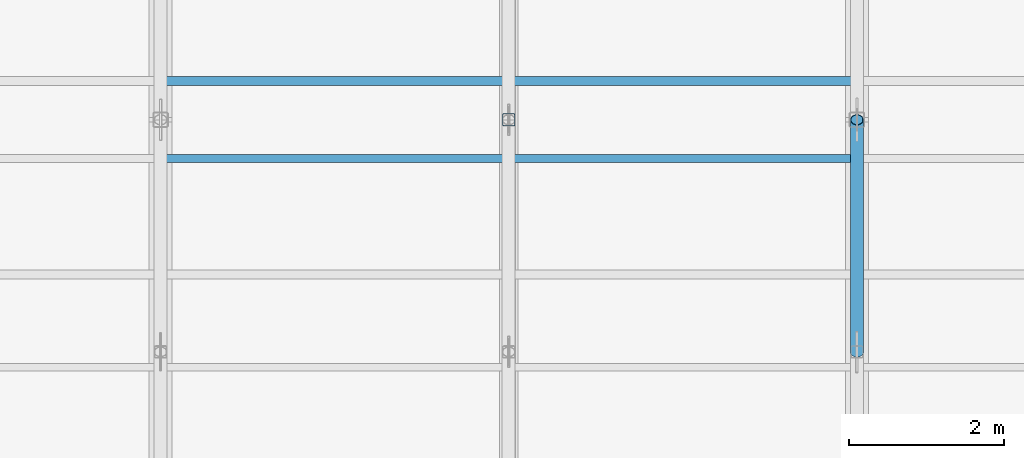
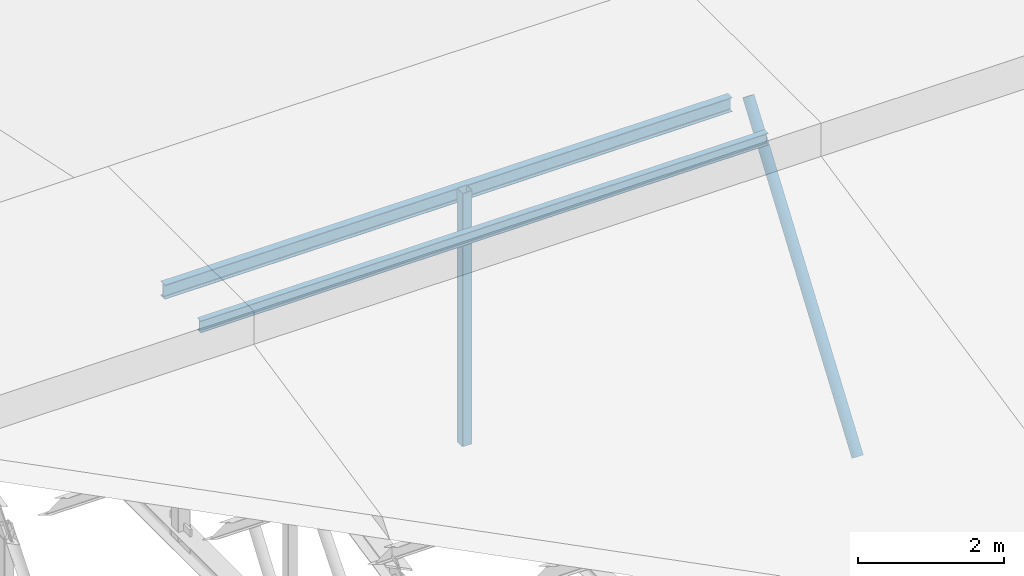
# One storey, part 16 of 43: 4 members.
"""IFC4 building model written with IfcOpenShell, lengths in metres."""

from ifc_helpers import new_model, si_unit, direction, frame, origin, origin_2d, place, context, subcontext, project, spatial, hollow_rectangle, hollow_circle, i_section, extrude, material, material_profile, profile_set, type_object, element, save


model = new_model("IFC4")

# Units and contexts
model_context = context("Model", 3, precision=1e-05, world=origin(), true_north=direction((0.0, 1.0)))
body_context = subcontext(model_context, "Body", "Model", "MODEL_VIEW")
ifc_project = project(units=[si_unit("LENGTHUNIT", "METRE"), si_unit("AREAUNIT", "SQUARE_METRE"), si_unit("VOLUMEUNIT", "CUBIC_METRE"), si_unit("PLANEANGLEUNIT", "RADIAN"), si_unit("MASSUNIT", "GRAM", prefix="KILO")], contexts=[model_context])

# Site, building, storey
site_placement = place(None, origin())
site = spatial("IfcSite", under=ifc_project, at=site_placement, CompositionType="ELEMENT")
building_placement = place(site_placement, origin())
building = spatial("IfcBuilding", under=site, at=building_placement, Name="Serraforn Aerial Cableway Station", CompositionType="ELEMENT")
storey_placement = place(building_placement, frame((0.0, 0.0, 18.300048828125)))
storey = spatial("IfcBuildingStorey", under=building, at=storey_placement, Name="RF", CompositionType="ELEMENT", Elevation=18.300048828125)

# Members
ifc_material_1 = material(Name="Steel S355J2", Category="steel")
ifc_material_profile_1 = material_profile(ifc_material_1, hollow_circle(Radius=0.084228515625, WallThickness=0.008056640625, at=origin_2d()), Name="CHS 168.3x8.0")
ifc_profile_set_1 = profile_set([ifc_material_profile_1], Name="Steel S355J2")
member_type_1 = type_object("IfcMemberType", Name="MEM-DG-CHS168", PredefinedType="BRACE", material=ifc_profile_set_1)
member_1_placement = place(storey_placement, frame((63.60009765625, 27.0, -1.35009765625), z_axis=(0.0, 0.578856146563, 0.815429679118), x_axis=(-1.0, 0.0, 0.0)))
element("IfcMember", 1, at=member_1_placement, inside=storey, type_object=member_type_1, Name="Roof Truss TR-05 Diagonal 4", PredefinedType="BRACE", context=body_context, shape_type="SweptSolid", body=[
    extrude(hollow_circle(Radius=0.084228515625, WallThickness=0.008056640625, at=origin_2d()), origin(), (0.0, 0.0, 1.0), 5.1826171875),
])
ifc_material_2 = material(Name="Steel S355JR", Category="steel")
ifc_material_profile_2 = material_profile(ifc_material_2, i_section(OverallWidth=0.10009765625, OverallDepth=0.199951171875, WebThickness=0.005615234375, FlangeThickness=0.008544921875, FilletRadius=0.011962890625, at=origin_2d()), Name="IPE 200")
ifc_profile_set_2 = profile_set([ifc_material_profile_2], Name="Steel S355JR")
member_type_2 = type_object("IfcMemberType", Name="MEM-PR-IPE200", PredefinedType="PURLIN", material=ifc_profile_set_2)
member_2_placement = place(storey_placement, frame((54.60009765625, 29.5, 2.48583984375), z_axis=(1.0, 0.0, 0.0), x_axis=(0.0, 1.0, 0.0)))
element("IfcMember", 2, at=member_2_placement, inside=storey, type_object=member_type_2, Name="Boarding Hall Purlin 4-7", PredefinedType="PURLIN", context=body_context, shape_type="SweptSolid", body=[
    extrude(i_section(OverallWidth=0.10009765625, OverallDepth=0.199951171875, WebThickness=0.005615234375, FlangeThickness=0.008544921875, FilletRadius=0.011962890625, at=origin_2d()), origin(), (0.0, 0.0, 1.0), 9.0),
])
ifc_material_profile_3 = material_profile(ifc_material_2, i_section(OverallWidth=0.1201171875, OverallDepth=0.239990234375, WebThickness=0.006103515625, FlangeThickness=0.009765625, FilletRadius=0.014892578125, at=origin_2d()), Name="IPE 240")
ifc_profile_set_3 = profile_set([ifc_material_profile_3], Name="Steel S355JR")
member_type_3 = type_object("IfcMemberType", Name="MEM-PR-IPE240", PredefinedType="PURLIN", material=ifc_profile_set_3)
member_3_placement = place(storey_placement, frame((54.60009765625, 30.5, 2.4658203125), z_axis=(1.0, 0.0, 0.0), x_axis=(0.0, 1.0, 0.0)))
element("IfcMember", 3, at=member_3_placement, inside=storey, type_object=member_type_3, Name="Boarding Hall Purlin 4-8", PredefinedType="PURLIN", context=body_context, shape_type="SweptSolid", body=[
    extrude(i_section(OverallWidth=0.1201171875, OverallDepth=0.239990234375, WebThickness=0.006103515625, FlangeThickness=0.009765625, FilletRadius=0.014892578125, at=origin_2d()), origin(), (0.0, 0.0, 1.0), 9.0),
])
ifc_material_profile_4 = material_profile(ifc_material_1, hollow_rectangle(XDim=0.159912109375, YDim=0.159912109375, WallThickness=0.008056640625, InnerFilletRadius=0.008056640625, OuterFilletRadius=0.01611328125, at=origin_2d()), Name="SHS 160x160x8.0")
ifc_profile_set_4 = profile_set([ifc_material_profile_4], Name="Steel S355J2")
member_type_4 = type_object("IfcMemberType", Name="MEM-VP-SHS160", PredefinedType="STRUT", material=ifc_profile_set_4)
member_4_placement = place(storey_placement, frame((59.10009765625, 30.0, -1.360107421875), z_axis=(0.0, 0.0, 1.0), x_axis=(1.0, 0.0, 0.0)))
element("IfcMember", 4, at=member_4_placement, inside=storey, type_object=member_type_4, Name="Intermediate Truss TRM-04 Post 5", PredefinedType="STRUT", context=body_context, shape_type="SweptSolid", body=[
    extrude(hollow_rectangle(XDim=0.159912109375, YDim=0.159912109375, WallThickness=0.008056640625, InnerFilletRadius=0.008056640625, OuterFilletRadius=0.01611328125, at=origin_2d()), origin(), (0.0, 0.0, 1.0), 4.24609375),
])

save(model, "model.ifc")
